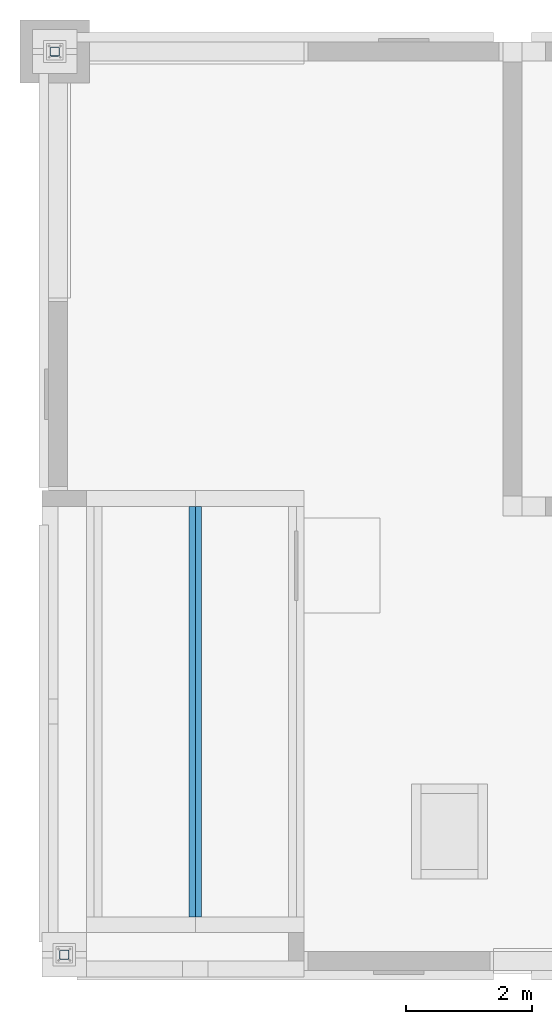
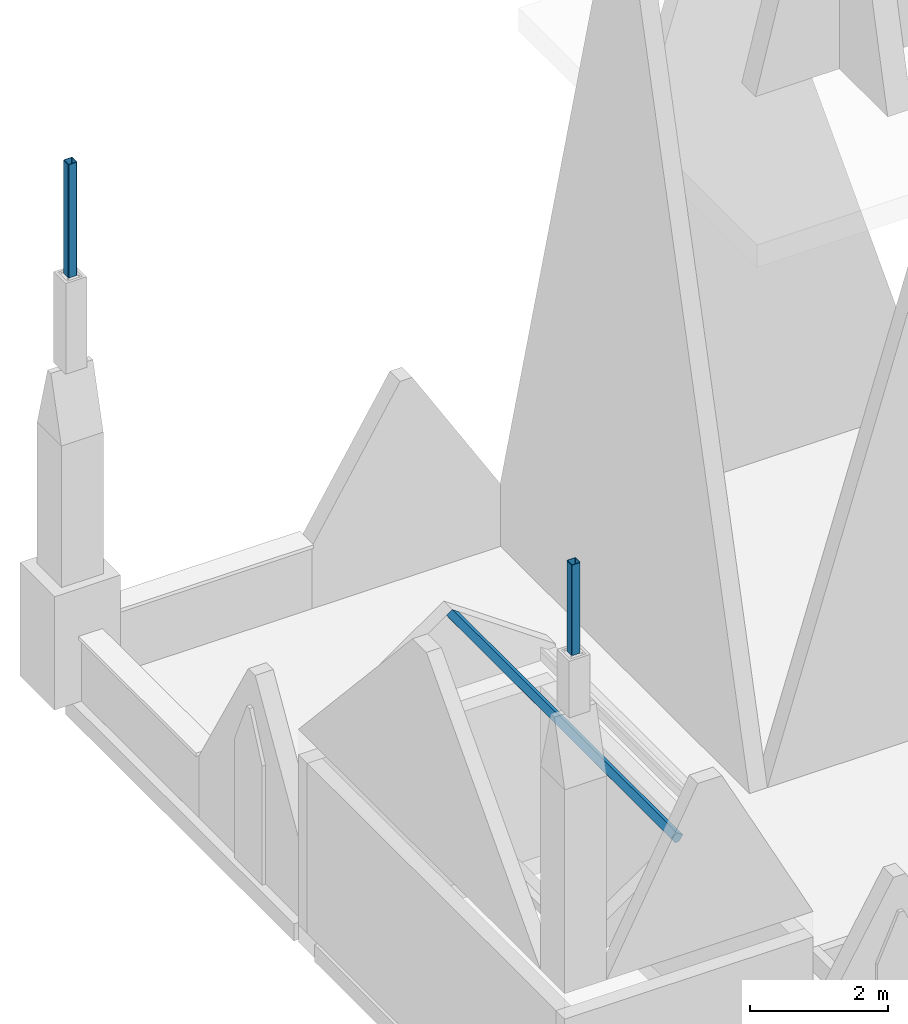
# One storey, part 1 of 10: 3 members.
"""IFC4 building model written with IfcOpenShell, lengths in metres."""

from ifc_helpers import new_model, si_unit, direction, frame, origin, origin_2d, place, context, subcontext, project, spatial, polyline, hollow_rectangle, outline, extrude, material, material_profile, profile_set, type_object, element, save


model = new_model("IFC4")

# Units and contexts
model_context = context("Model", 3, precision=1e-05, world=origin(), true_north=direction((0.0, 1.0)))
body_context = subcontext(model_context, "Body", "Model", "MODEL_VIEW")
ifc_project = project(units=[si_unit("LENGTHUNIT", "METRE"), si_unit("AREAUNIT", "SQUARE_METRE"), si_unit("VOLUMEUNIT", "CUBIC_METRE"), si_unit("PLANEANGLEUNIT", "RADIAN"), si_unit("MASSUNIT", "GRAM", prefix="KILO")], contexts=[model_context])

# Site, building, storey
site_placement = place(None, origin())
site = spatial("IfcSite", under=ifc_project, at=site_placement, CompositionType="ELEMENT")
building_placement = place(site_placement, origin())
building = spatial("IfcBuilding", under=site, at=building_placement, Name="Silangan Lancet Faculty of Sciences", CompositionType="ELEMENT")
storey_placement = place(building_placement, frame((0.0, 0.0, 81.300048828125)))
storey = spatial("IfcBuildingStorey", under=building, at=storey_placement, Name="ROOF", CompositionType="ELEMENT", Elevation=81.300048828125)

# Members
ifc_material_1 = material(Name="Concrete C35/45 precast", Category="concrete")
ifc_material_profile_1 = material_profile(ifc_material_1, outline(polyline([(0.0, 0.0), (0.098876953125, -0.069091796875), (0.030029296875, -0.16748046875), (-0.030029296875, -0.16748046875), (-0.098876953125, -0.069091796875), (0.0, 0.0)])), Name="ridge rib")
ifc_profile_set_1 = profile_set([ifc_material_profile_1], Name="Concrete C35/45 precast")
member_type_1 = type_object("IfcMemberType", Name="Head-house ridge rib", PredefinedType="USERDEFINED", material=ifc_profile_set_1)
member_1_placement = place(storey_placement, frame((2.175048828125, 0.699951171875, 4.866455078125), z_axis=(0.0, 1.0, 0.0), x_axis=(-1.0, 0.0, 0.0)))
element("IfcMember", 1, at=member_1_placement, inside=storey, type_object=member_type_1, Name="Head-house ST-A ridge rib", ObjectType="RIDGE RIB", PredefinedType="USERDEFINED", context=body_context, shape_type="SweptSolid", body=[
    extrude(outline(polyline([(0.0, 0.0), (0.098876953125, -0.069091796875), (0.030029296875, -0.16748046875), (-0.030029296875, -0.16748046875), (-0.098876953125, -0.069091796875), (0.0, 0.0)])), origin(), (0.0, 0.0, 1.0), 6.5),
])
ifc_material_2 = material(Name="Steel STKR400", Category="steel")
ifc_material_profile_2 = material_profile(ifc_material_2, hollow_rectangle(XDim=0.14990234375, YDim=0.14990234375, WallThickness=0.009033203125, InnerFilletRadius=0.009033203125, OuterFilletRadius=0.01806640625, at=origin_2d()), Name="SHS 150x150x9.0")
ifc_profile_set_2 = profile_set([ifc_material_profile_2], Name="Steel STKR400")
member_type_2 = type_object("IfcMemberType", Name="Pinnacle tower corner SHS 150x150x9.0", PredefinedType="USERDEFINED", material=ifc_profile_set_2)
member_2_placement = place(storey_placement, frame((0.10009765625, 0.10009765625, 9.14990234375), z_axis=(0.0, 0.0, 1.0), x_axis=(1.0, 0.0, 0.0)))
element("IfcMember", 2, at=member_2_placement, inside=storey, type_object=member_type_2, Name="Tower corner pinnacle ST SW", ObjectType="PINNACLE", PredefinedType="USERDEFINED", context=body_context, shape_type="SweptSolid", body=[
    extrude(hollow_rectangle(XDim=0.14990234375, YDim=0.14990234375, WallThickness=0.009033203125, InnerFilletRadius=0.009033203125, OuterFilletRadius=0.01806640625, at=origin_2d()), origin(), (0.0, 0.0, 1.0), 1.60009765625),
])
member_3_placement = place(storey_placement, frame((-0.050048828125, 14.39990234375, 7.199951171875), z_axis=(0.0, 0.0, 1.0), x_axis=(1.0, 0.0, 0.0)))
element("IfcMember", 3, at=member_3_placement, inside=storey, type_object=member_type_2, Name="Tower corner pinnacle ST NW", ObjectType="PINNACLE", PredefinedType="USERDEFINED", context=body_context, shape_type="SweptSolid", body=[
    extrude(hollow_rectangle(XDim=0.14990234375, YDim=0.14990234375, WallThickness=0.009033203125, InnerFilletRadius=0.009033203125, OuterFilletRadius=0.01806640625, at=origin_2d()), origin(), (0.0, 0.0, 1.0), 2.0),
])

save(model, "model.ifc")
